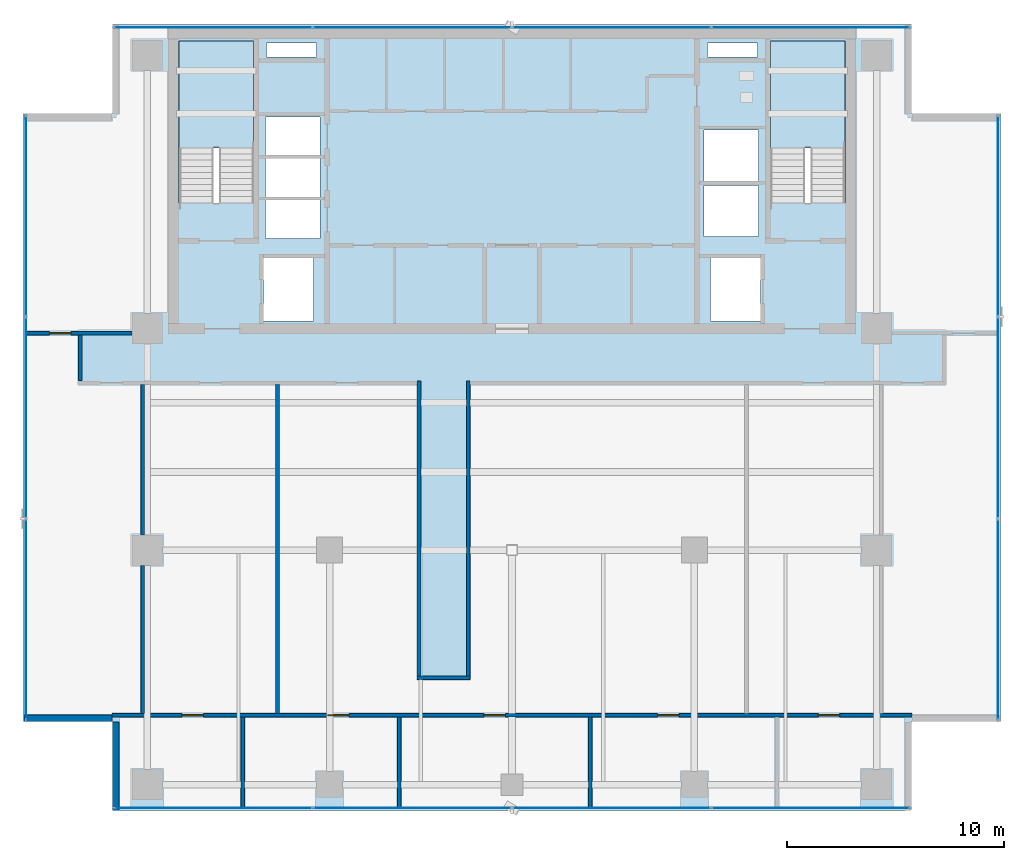
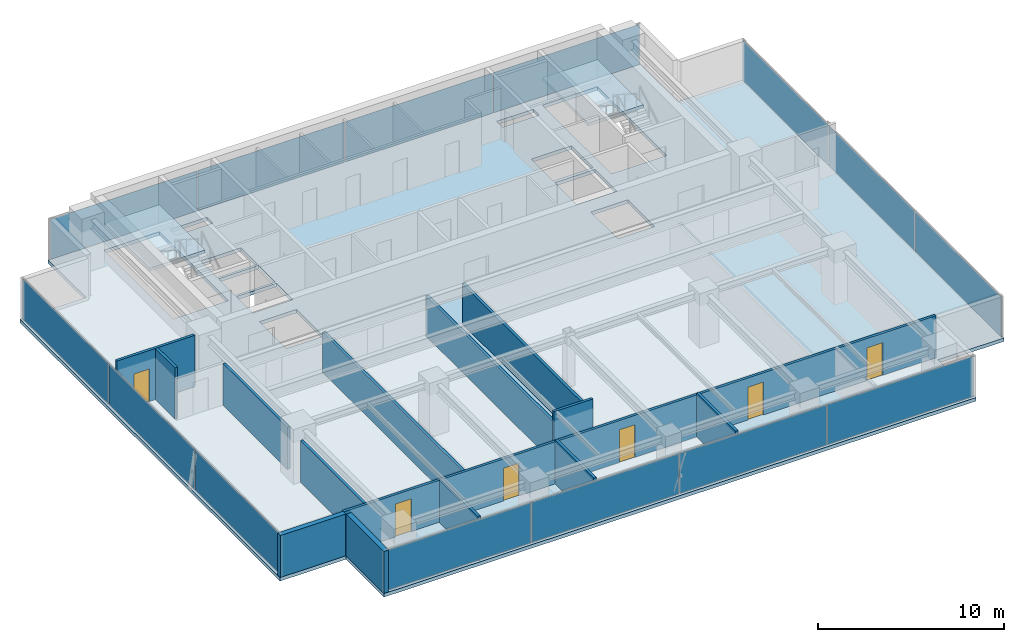
# One storey, part 19 of 26: 14 plates, 14 walls, 6 doors, 3 slabs, 6 openings, 6 elements without a shape of their own.
"""IFC4 building model written with IfcOpenShell, lengths in metres."""

from ifc_helpers import new_model, si_unit, direction, frame, frame_2d, origin, origin_2d, place, context, subcontext, project, spatial, polyline, rectangle, outline, extrude, source, transform, mapped, material, layer, layer_set, type_object, element, fill, aggregate, save


model = new_model("IFC4")

# Units and contexts
model_context = context("Model", 3, precision=1e-05, world=origin(), true_north=direction((0.0, 1.0)))
body_context = subcontext(model_context, "Body", "Model", "MODEL_VIEW")
ifc_project = project(units=[si_unit("LENGTHUNIT", "METRE"), si_unit("AREAUNIT", "SQUARE_METRE"), si_unit("VOLUMEUNIT", "CUBIC_METRE"), si_unit("PLANEANGLEUNIT", "RADIAN"), si_unit("MASSUNIT", "GRAM", prefix="KILO")], contexts=[model_context])

# Site, building, storey
site_placement = place(None, origin())
site = spatial("IfcSite", under=ifc_project, at=site_placement, CompositionType="ELEMENT")
building_placement = place(site_placement, origin())
building = spatial("IfcBuilding", under=site, at=building_placement, Name="Sumidabori Civic Tower", CompositionType="ELEMENT")
storey_placement = place(building_placement, frame((0.0, 0.0, 261.199951171875)))
storey = spatial("IfcBuildingStorey", under=building, at=storey_placement, Name="L68", CompositionType="ELEMENT", Elevation=261.199951171875)

# Stair, slab
ifc_material_1 = material(Name="Concrete C40/50", Category="concrete")
stair_type = type_object("IfcStairType", Name="ST-CORE-1600", PredefinedType="HALF_TURN_STAIR", material=ifc_material_1)
stair_1_placement = place(storey_placement, origin())
stair_1 = element("IfcStair", 1, at=stair_1_placement, inside=storey, type_object=stair_type, Name="L68 ST-1", PredefinedType="HALF_TURN_STAIR")
ifc_layer_1 = layer(ifc_material_1, 0.199951171875, Name="Concrete C40/50")
ifc_layer_set_1 = layer_set([ifc_layer_1], Name="Concrete C40/50")
slab_type_1 = type_object("IfcSlabType", Name="SL-LAND-200", PredefinedType="LANDING", material=ifc_layer_set_1)
slab_1_placement = place(storey_placement, frame((0.0, 0.0, 1.60009765625)))
slab_1 = element("IfcSlab", 2, at=slab_1_placement, type_object=slab_type_1, Name="ST-1 landing 1", PredefinedType="LANDING", context=body_context, shape_type="SweptSolid", body=[
    extrude(outline(polyline([(-11.89990234375, 18.52001953125), (-11.89990234375, 23.449951171875), (-15.340087890625, 23.449951171875), (-15.340087890625, 18.52001953125), (-11.89990234375, 18.52001953125)])), origin(), (0.0, 0.0, 1.0), 0.199951171875),
])
aggregate(stair_1, [slab_1])

stair_2_placement = place(storey_placement, origin())
stair_2 = element("IfcStair", 3, at=stair_2_placement, inside=storey, type_object=stair_type, Name="L68 ST-2", PredefinedType="HALF_TURN_STAIR")
slab_2_placement = place(storey_placement, frame((0.0, 0.0, 1.60009765625)))
slab_2 = element("IfcSlab", 4, at=slab_2_placement, type_object=slab_type_1, Name="ST-2 landing 1", PredefinedType="LANDING", context=body_context, shape_type="SweptSolid", body=[
    extrude(outline(polyline([(15.340087890625, 18.52001953125), (15.340087890625, 23.449951171875), (11.89990234375, 23.449951171875), (11.89990234375, 18.52001953125), (15.340087890625, 18.52001953125)])), origin(), (0.0, 0.0, 1.0), 0.199951171875),
])
aggregate(stair_2, [slab_2])

# Slab
ifc_layer_2 = layer(ifc_material_1, 0.22998046875, Name="Concrete C40/50")
ifc_layer_set_2 = layer_set([ifc_layer_2], Name="Concrete C40/50")
slab_type_2 = type_object("IfcSlabType", Name="SL-Z4-230", PredefinedType="FLOOR", material=ifc_layer_set_2)
slab_3_placement = place(storey_placement, frame((0.0, 0.0, -0.22998046875)))
element("IfcSlab", 5, at=slab_3_placement, inside=storey, type_object=slab_type_2, Name="Structural Slab L68", PredefinedType="FLOOR", context=body_context, shape_type="SweptSolid", body=[
    extrude(outline(polyline([(-18.39990234375, -12.0), (18.39990234375, -12.0), (18.39990234375, -7.89990234375), (22.5, -7.89990234375), (22.5, 20.10009765625), (18.39990234375, 20.10009765625), (18.39990234375, 24.199951171875), (-18.39990234375, 24.199951171875), (-18.39990234375, 20.10009765625), (-22.5, 20.10009765625), (-22.5, -7.89990234375), (-18.39990234375, -7.89990234375), (-18.39990234375, -12.0)]), holes=[polyline([(-11.89990234375, 16.0), (-11.89990234375, 23.449951171875), (-15.340087890625, 23.449951171875), (-15.340087890625, 16.0), (-11.89990234375, 16.0)]), polyline([(15.340087890625, 16.0), (15.340087890625, 23.449951171875), (11.89990234375, 23.449951171875), (11.89990234375, 16.0), (15.340087890625, 16.0)]), polyline([(-11.449951171875, 10.550048828125), (-9.14990234375, 10.550048828125), (-9.14990234375, 13.449951171875), (-11.449951171875, 13.449951171875), (-11.449951171875, 10.550048828125)]), polyline([(9.14990234375, 10.550048828125), (11.449951171875, 10.550048828125), (11.449951171875, 13.449951171875), (9.14990234375, 13.449951171875), (9.14990234375, 10.550048828125)]), polyline([(-11.35009765625, 14.35009765625), (-8.85009765625, 14.35009765625), (-8.85009765625, 16.1201171875), (-11.35009765625, 16.1201171875), (-11.35009765625, 14.35009765625)]), polyline([(-11.35009765625, 16.27001953125), (-8.85009765625, 16.27001953125), (-8.85009765625, 18.0400390625), (-11.35009765625, 18.0400390625), (-11.35009765625, 16.27001953125)]), polyline([(-11.35009765625, 18.18994140625), (-8.85009765625, 18.18994140625), (-8.85009765625, 19.9599609375), (-11.35009765625, 19.9599609375), (-11.35009765625, 18.18994140625)]), polyline([(8.85009765625, 14.449951171875), (11.35009765625, 14.449951171875), (11.35009765625, 16.800048828125), (8.85009765625, 16.800048828125), (8.85009765625, 14.449951171875)]), polyline([(8.85009765625, 17.0), (11.35009765625, 17.0), (11.35009765625, 19.35009765625), (8.85009765625, 19.35009765625), (8.85009765625, 17.0)]), polyline([(-11.300048828125, 22.719970703125), (-9.0, 22.719970703125), (-9.0, 23.35009765625), (-11.300048828125, 23.35009765625), (-11.300048828125, 22.719970703125)]), polyline([(9.0, 22.719970703125), (11.300048828125, 22.719970703125), (11.300048828125, 23.35009765625), (9.0, 23.35009765625), (9.0, 22.719970703125)])]), origin(), (0.0, 0.0, 1.0), 0.22998046875),
])

# Curtain wall, plates
ifc_material_2 = material(Name="Anodised Bronze Aluminium AW-6063-T6", Category="aluminium")
ifc_layer_3 = layer(ifc_material_2, 0.179931640625, Name="Anodised Bronze Aluminium AW-6063-T6")
ifc_layer_set_3 = layer_set([ifc_layer_3], Name="Anodised Bronze Aluminium AW-6063-T6")
curtain_wall_type = type_object("IfcCurtainWallType", Name="CW-SYS-5", PredefinedType="NOTDEFINED", material=ifc_layer_set_3)
curtain_wall_1_placement = place(storey_placement, origin())
curtain_wall_1 = element("IfcCurtainWall", 6, at=curtain_wall_1_placement, inside=storey, type_object=curtain_wall_type, Name="Curtain Wall CW:L68:R04", PredefinedType="NOTDEFINED")
ifc_material_3 = material(Name="Low-E Solar-Control Vision Glazing", Category="glass")
ifc_layer_4 = layer(ifc_material_3, 0.028076171875, Name="Low-E Solar-Control Vision Glazing")
ifc_layer_set_4 = layer_set([ifc_layer_4], Name="Low-E Solar-Control Vision Glazing")
plate_type = type_object("IfcPlateType", Name="CW-PNL-28", PredefinedType="CURTAIN_PANEL", material=ifc_layer_set_4)
shared_shape_1 = source(origin(), body_context, "Body", "SweptSolid", [
    extrude(rectangle(XDim=9.223388671875, YDim=0.028076171875, at=origin_2d()), origin(), (0.0, 0.0, 1.0), 2.6298828125),
])
plate_1_placement = place(storey_placement, frame((22.3798828125, -3.1982421875, 0.06005859375), z_axis=(0.0, 0.0, 1.0), x_axis=(0.0, 1.0, 0.0)))
plate_1 = element("IfcPlate", 7, at=plate_1_placement, type_object=plate_type, Name="CW-5 panel 1.1", PredefinedType="CURTAIN_PANEL", context=body_context, shape_type="MappedRepresentation", body=[
    mapped(shared_shape_1, transform((0.0, 0.0, 0.0), x_axis=(1.0, 0.0, 0.0), y_axis=(0.0, 1.0, 0.0), z_axis=(0.0, 0.0, 1.0), scale=1.0)),
])
plate_2_placement = place(storey_placement, frame((22.3798828125, 15.3984375, 0.06005859375), z_axis=(0.0, 0.0, 1.0), x_axis=(0.0, 1.0, 0.0)))
plate_2 = element("IfcPlate", 8, at=plate_2_placement, type_object=plate_type, Name="CW-5 panel 3.1", PredefinedType="CURTAIN_PANEL", context=body_context, shape_type="MappedRepresentation", body=[
    mapped(shared_shape_1, transform((0.0, 0.0, 0.0), x_axis=(1.0, 0.0, 0.0), y_axis=(0.0, 1.0, 0.0), z_axis=(0.0, 0.0, 1.0), scale=1.0)),
])

curtain_wall_2_placement = place(storey_placement, origin())
curtain_wall_2 = element("IfcCurtainWall", 9, at=curtain_wall_2_placement, inside=storey, type_object=curtain_wall_type, Name="Curtain Wall CW:L68:R10", PredefinedType="NOTDEFINED")
plate_3_placement = place(storey_placement, frame((-22.3798828125, 15.3984375, 0.06005859375), z_axis=(0.0, 0.0, 1.0), x_axis=(0.0, -1.0, 0.0)))
plate_3 = element("IfcPlate", 10, at=plate_3_placement, type_object=plate_type, Name="CW-5 panel 1.1", PredefinedType="CURTAIN_PANEL", context=body_context, shape_type="MappedRepresentation", body=[
    mapped(shared_shape_1, transform((0.0, 0.0, 0.0), x_axis=(1.0, 0.0, 0.0), y_axis=(0.0, 1.0, 0.0), z_axis=(0.0, 0.0, 1.0), scale=1.0)),
])
plate_4_placement = place(storey_placement, frame((-22.3798828125, -3.1982421875, 0.06005859375), z_axis=(0.0, 0.0, 1.0), x_axis=(0.0, -1.0, 0.0)))
plate_4 = element("IfcPlate", 11, at=plate_4_placement, type_object=plate_type, Name="CW-5 panel 3.1", PredefinedType="CURTAIN_PANEL", context=body_context, shape_type="MappedRepresentation", body=[
    mapped(shared_shape_1, transform((0.0, 0.0, 0.0), x_axis=(1.0, 0.0, 0.0), y_axis=(0.0, 1.0, 0.0), z_axis=(0.0, 0.0, 1.0), scale=1.0)),
])

# Plate
shared_shape_2 = source(origin(), body_context, "Body", "SweptSolid", [
    extrude(rectangle(XDim=9.25341796875, YDim=0.028076171875, at=origin_2d()), origin(), (0.0, 0.0, 1.0), 2.6298828125),
])
plate_5_placement = place(storey_placement, frame((22.3798828125, 6.10009765625, 0.06005859375), z_axis=(0.0, 0.0, 1.0), x_axis=(0.0, 1.0, 0.0)))
plate_5 = element("IfcPlate", 12, at=plate_5_placement, type_object=plate_type, Name="CW-5 panel 2.1", PredefinedType="CURTAIN_PANEL", context=body_context, shape_type="MappedRepresentation", body=[
    mapped(shared_shape_2, transform((0.0, 0.0, 0.0), x_axis=(1.0, 0.0, 0.0), y_axis=(0.0, 1.0, 0.0), z_axis=(0.0, 0.0, 1.0), scale=1.0)),
])

aggregate(curtain_wall_1, [plate_1, plate_5, plate_2])

plate_6_placement = place(storey_placement, frame((-22.3798828125, 6.10009765625, 0.06005859375), z_axis=(0.0, 0.0, 1.0), x_axis=(0.0, -1.0, 0.0)))
plate_6 = element("IfcPlate", 13, at=plate_6_placement, type_object=plate_type, Name="CW-5 panel 2.1", PredefinedType="CURTAIN_PANEL", context=body_context, shape_type="MappedRepresentation", body=[
    mapped(shared_shape_2, transform((0.0, 0.0, 0.0), x_axis=(1.0, 0.0, 0.0), y_axis=(0.0, 1.0, 0.0), z_axis=(0.0, 0.0, 1.0), scale=1.0)),
])

aggregate(curtain_wall_2, [plate_3, plate_6, plate_4])

# Curtain wall, plates
curtain_wall_3_placement = place(storey_placement, origin())
curtain_wall_3 = element("IfcCurtainWall", 14, at=curtain_wall_3_placement, inside=storey, type_object=curtain_wall_type, Name="Curtain Wall CW:L68:R01", PredefinedType="NOTDEFINED")
shared_shape_3 = source(origin(), body_context, "Body", "SweptSolid", [
    extrude(rectangle(XDim=9.094970703125, YDim=0.028076171875, at=origin_2d()), origin(), (0.0, 0.0, 1.0), 2.6298828125),
])
plate_7_placement = place(storey_placement, frame((-13.762451171875, -11.8798828125, 0.06005859375), z_axis=(0.0, 0.0, 1.0), x_axis=(1.0, 0.0, 0.0)))
plate_7 = element("IfcPlate", 15, at=plate_7_placement, type_object=plate_type, Name="CW-5 panel 1.1", PredefinedType="CURTAIN_PANEL", context=body_context, shape_type="MappedRepresentation", body=[
    mapped(shared_shape_3, transform((0.0, 0.0, 0.0), x_axis=(1.0, 0.0, 0.0), y_axis=(0.0, 1.0, 0.0), z_axis=(0.0, 0.0, 1.0), scale=1.0)),
])
plate_8_placement = place(storey_placement, frame((13.762451171875, -11.8798828125, 0.06005859375), z_axis=(0.0, 0.0, 1.0), x_axis=(1.0, 0.0, 0.0)))
plate_8 = element("IfcPlate", 16, at=plate_8_placement, type_object=plate_type, Name="CW-5 panel 4.1", PredefinedType="CURTAIN_PANEL", context=body_context, shape_type="MappedRepresentation", body=[
    mapped(shared_shape_3, transform((0.0, 0.0, 0.0), x_axis=(1.0, 0.0, 0.0), y_axis=(0.0, 1.0, 0.0), z_axis=(0.0, 0.0, 1.0), scale=1.0)),
])

curtain_wall_4_placement = place(storey_placement, origin())
curtain_wall_4 = element("IfcCurtainWall", 17, at=curtain_wall_4_placement, inside=storey, type_object=curtain_wall_type, Name="Curtain Wall CW:L68:R07", PredefinedType="NOTDEFINED")
plate_9_placement = place(storey_placement, frame((13.762451171875, 24.080078125, 0.06005859375), z_axis=(0.0, 0.0, 1.0), x_axis=(-1.0, 0.0, 0.0)))
plate_9 = element("IfcPlate", 18, at=plate_9_placement, type_object=plate_type, Name="CW-5 panel 1.1", PredefinedType="CURTAIN_PANEL", context=body_context, shape_type="MappedRepresentation", body=[
    mapped(shared_shape_3, transform((0.0, 0.0, 0.0), x_axis=(1.0, 0.0, 0.0), y_axis=(0.0, 1.0, 0.0), z_axis=(0.0, 0.0, 1.0), scale=1.0)),
])
plate_10_placement = place(storey_placement, frame((-13.762451171875, 24.080078125, 0.06005859375), z_axis=(0.0, 0.0, 1.0), x_axis=(-1.0, 0.0, 0.0)))
plate_10 = element("IfcPlate", 19, at=plate_10_placement, type_object=plate_type, Name="CW-5 panel 4.1", PredefinedType="CURTAIN_PANEL", context=body_context, shape_type="MappedRepresentation", body=[
    mapped(shared_shape_3, transform((0.0, 0.0, 0.0), x_axis=(1.0, 0.0, 0.0), y_axis=(0.0, 1.0, 0.0), z_axis=(0.0, 0.0, 1.0), scale=1.0)),
])

# Plate
shared_shape_4 = source(origin(), body_context, "Body", "SweptSolid", [
    extrude(rectangle(XDim=9.125, YDim=0.028076171875, at=origin_2d()), origin(), (0.0, 0.0, 1.0), 2.6298828125),
])
plate_11_placement = place(storey_placement, frame((-4.592529296875, -11.8798828125, 0.06005859375), z_axis=(0.0, 0.0, 1.0), x_axis=(1.0, 0.0, 0.0)))
plate_11 = element("IfcPlate", 20, at=plate_11_placement, type_object=plate_type, Name="CW-5 panel 2.1", PredefinedType="CURTAIN_PANEL", context=body_context, shape_type="MappedRepresentation", body=[
    mapped(shared_shape_4, transform((0.0, 0.0, 0.0), x_axis=(1.0, 0.0, 0.0), y_axis=(0.0, 1.0, 0.0), z_axis=(0.0, 0.0, 1.0), scale=1.0)),
])

plate_12_placement = place(storey_placement, frame((4.592529296875, -11.8798828125, 0.06005859375), z_axis=(0.0, 0.0, 1.0), x_axis=(1.0, 0.0, 0.0)))
plate_12 = element("IfcPlate", 21, at=plate_12_placement, type_object=plate_type, Name="CW-5 panel 3.1", PredefinedType="CURTAIN_PANEL", context=body_context, shape_type="MappedRepresentation", body=[
    mapped(shared_shape_4, transform((0.0, 0.0, 0.0), x_axis=(1.0, 0.0, 0.0), y_axis=(0.0, 1.0, 0.0), z_axis=(0.0, 0.0, 1.0), scale=1.0)),
])

aggregate(curtain_wall_3, [plate_7, plate_11, plate_12, plate_8])

plate_13_placement = place(storey_placement, frame((4.592529296875, 24.080078125, 0.06005859375), z_axis=(0.0, 0.0, 1.0), x_axis=(-1.0, 0.0, 0.0)))
plate_13 = element("IfcPlate", 22, at=plate_13_placement, type_object=plate_type, Name="CW-5 panel 2.1", PredefinedType="CURTAIN_PANEL", context=body_context, shape_type="MappedRepresentation", body=[
    mapped(shared_shape_4, transform((0.0, 0.0, 0.0), x_axis=(1.0, 0.0, 0.0), y_axis=(0.0, 1.0, 0.0), z_axis=(0.0, 0.0, 1.0), scale=1.0)),
])

plate_14_placement = place(storey_placement, frame((-4.592529296875, 24.080078125, 0.06005859375), z_axis=(0.0, 0.0, 1.0), x_axis=(-1.0, 0.0, 0.0)))
plate_14 = element("IfcPlate", 23, at=plate_14_placement, type_object=plate_type, Name="CW-5 panel 3.1", PredefinedType="CURTAIN_PANEL", context=body_context, shape_type="MappedRepresentation", body=[
    mapped(shared_shape_4, transform((0.0, 0.0, 0.0), x_axis=(1.0, 0.0, 0.0), y_axis=(0.0, 1.0, 0.0), z_axis=(0.0, 0.0, 1.0), scale=1.0)),
])

aggregate(curtain_wall_4, [plate_9, plate_13, plate_14, plate_10])

# Walls
ifc_material_4 = material(Name="Precast concrete C40/50", Category="concrete")
ifc_layer_5 = layer(ifc_material_4, 0.300048828125, Name="Precast concrete C40/50")
ifc_layer_set_5 = layer_set([ifc_layer_5], Name="Precast concrete C40/50")
wall_type_1 = type_object("IfcWallType", Name="WL-EXT-POD300", PredefinedType="STANDARD", material=ifc_layer_set_5)
shared_shape_5 = source(origin(), body_context, "Body", "SweptSolid", [
    extrude(rectangle(XDim=4.06005859375, YDim=0.300048828125, at=frame_2d((2.030029296875, 0.0))), origin(), (0.0, 0.0, 1.0), 2.75),
])
for number, where, z_axis, x_axis, name in (
    (24, (-22.47998046875, -7.75, 0.0), (0.0, 0.0, 1.0), (1.0, 0.0, 0.0), "Notched Corner Spandrel Band L68-11"),
    (25, (-18.25, -7.919921875, 0.0), (0.0, 0.0, 1.0), (0.0, -1.0, 0.0), "Notched Corner Spandrel Band L68-12"),
):
    element("IfcWall", number, at=place(storey_placement, frame(where, z_axis=z_axis, x_axis=x_axis)), inside=storey, type_object=wall_type_1, Name=name, PredefinedType="STANDARD", context=body_context, shape_type="MappedRepresentation", body=[
        mapped(shared_shape_5, transform((0.0, 0.0, 0.0), x_axis=(1.0, 0.0, 0.0), y_axis=(0.0, 1.0, 0.0), z_axis=(0.0, 0.0, 1.0), scale=1.0)),
    ])

# Wall, opening, door
ifc_material_5 = material(Name="Gypsum Plasterboard Acoustic Partition")
ifc_layer_6 = layer(ifc_material_5, 0.1650390625, Name="Gypsum Plasterboard Acoustic Partition")
ifc_layer_set_6 = layer_set([ifc_layer_6], Name="Gypsum Plasterboard Acoustic Partition")
wall_type_2 = type_object("IfcWallType", Name="WL-PART-165", PredefinedType="PARTITIONING", material=ifc_layer_set_6)
shared_shape_6 = source(origin(), body_context, "Body", "SweptSolid", [
    extrude(rectangle(XDim=4.840087890625, YDim=0.1650390625, at=frame_2d((2.419921875, 0.0))), origin(), (0.0, 0.0, 1.0), 3.3701171875),
])
wall_1_placement = place(storey_placement, frame((-22.35009765625, 10.0, 0.0), z_axis=(0.0, 0.0, 1.0), x_axis=(1.0, 0.0, 0.0)))
wall_1 = element("IfcWall", 26, at=wall_1_placement, inside=storey, type_object=wall_type_2, Name="Interior Partition WL:L68:FLK-NW", PredefinedType="PARTITIONING", context=body_context, shape_type="MappedRepresentation", body=[
    mapped(shared_shape_6, transform((0.0, 0.0, 0.0), x_axis=(1.0, 0.0, 0.0), y_axis=(0.0, 1.0, 0.0), z_axis=(0.0, 0.0, 1.0), scale=1.0)),
])
opening_1_placement = place(wall_1_placement, frame((1.050048828125, 0.0, 0.0)))
opening_1 = element("IfcOpeningElement", 27, at=opening_1_placement, cuts=wall_1, Name="Opening DR-3", PredefinedType="OPENING", context=body_context, shape_type="SweptSolid", body=[
    extrude(rectangle(XDim=0.97998046875, YDim=2.14990234375, at=frame_2d((0.489990234375, 1.074951171875))), frame((0.0, 0.094482421875, 0.0), z_axis=(0.0, -1.0, 0.0), x_axis=(1.0, 0.0, 0.0)), (0.0, 0.0, 1.0), 0.18896484375),
])
ifc_material_6 = material(Name="Japanese Hinoki Timber", Category="wood")
door_type = type_object("IfcDoorType", Name="DR-INT-980", OperationType="NOTDEFINED", PredefinedType="DOOR", material=ifc_material_6)
shared_shape_7 = source(origin(), body_context, "Body", "SweptSolid", [
    extrude(rectangle(XDim=0.97998046875, YDim=2.14990234375, at=frame_2d((0.489990234375, 1.074951171875))), frame((0.0, 0.02490234375, 0.0), z_axis=(0.0, -1.0, 0.0), x_axis=(1.0, 0.0, 0.0)), (0.0, 0.0, 1.0), 0.050048828125),
])
door_1_placement = place(opening_1_placement, origin())
door_1 = element("IfcDoor", 28, at=door_1_placement, inside=storey, type_object=door_type, Name="Door DR:L68:D06", OperationType="SINGLE_SWING_RIGHT", OverallHeight=2.14990234375, OverallWidth=0.97998046875, PredefinedType="DOOR", context=body_context, shape_type="MappedRepresentation", body=[
    mapped(shared_shape_7, transform((0.0, 0.0, 0.0), x_axis=(1.0, 0.0, 0.0), y_axis=(0.0, 1.0, 0.0), z_axis=(0.0, 0.0, 1.0), scale=1.0)),
])
fill(opening_1, door_1)

# Walls
shared_shape_8 = source(origin(), body_context, "Body", "SweptSolid", [
    extrude(rectangle(XDim=2.429931640625, YDim=0.1650390625, at=frame_2d((1.21484375, 0.0))), origin(), (0.0, 0.0, 1.0), 3.3701171875),
])
wall_2_placement = place(storey_placement, frame((-4.364990234375, -5.882568359375, 0.0), z_axis=(0.0, 0.0, 1.0), x_axis=(1.0, 0.0, 0.0)))
element("IfcWall", 29, at=wall_2_placement, inside=storey, type_object=wall_type_2, Name="Interior Partition WL:L68:CORR-CAP-C", PredefinedType="PARTITIONING", context=body_context, shape_type="MappedRepresentation", body=[
    mapped(shared_shape_8, transform((0.0, 0.0, 0.0), x_axis=(1.0, 0.0, 0.0), y_axis=(0.0, 1.0, 0.0), z_axis=(0.0, 0.0, 1.0), scale=1.0)),
])
shared_shape_9 = source(origin(), body_context, "Body", "SweptSolid", [
    extrude(rectangle(XDim=2.107666015625, YDim=0.1650390625, at=frame_2d((1.0537109375, 0.0))), origin(), (0.0, 0.0, 1.0), 3.3701171875),
])
wall_3_placement = place(storey_placement, frame((-19.882568359375, 7.804931640625, 0.0), z_axis=(0.0, 0.0, 1.0), x_axis=(0.0, 1.0, 0.0)))
element("IfcWall", 30, at=wall_3_placement, inside=storey, type_object=wall_type_2, Name="Interior Partition WL:L68:CORR-VNW", PredefinedType="PARTITIONING", context=body_context, shape_type="MappedRepresentation", body=[
    mapped(shared_shape_9, transform((0.0, 0.0, 0.0), x_axis=(1.0, 0.0, 0.0), y_axis=(0.0, 1.0, 0.0), z_axis=(0.0, 0.0, 1.0), scale=1.0)),
])
shared_shape_10 = source(origin(), body_context, "Body", "SweptSolid", [
    extrude(rectangle(XDim=13.594970703125, YDim=0.1650390625, at=frame_2d((6.79736328125, 0.0))), origin(), (0.0, 0.0, 1.0), 2.655029296875),
])
for number, where, z_axis, x_axis, name in (
    (31, (-4.282470703125, -5.794921875, 0.0), (0.0, 0.0, 1.0), (0.0, 1.0, 0.0), "Interior Partition WL:L68:CORR-VC-W"),
    (32, (-2.017578125, -5.794921875, 0.0), (0.0, 0.0, 1.0), (0.0, 1.0, 0.0), "Interior Partition WL:L68:CORR-VC-E"),
):
    element("IfcWall", number, at=place(storey_placement, frame(where, z_axis=z_axis, x_axis=x_axis)), inside=storey, type_object=wall_type_2, Name=name, PredefinedType="PARTITIONING", context=body_context, shape_type="MappedRepresentation", body=[
        mapped(shared_shape_10, transform((0.0, 0.0, 0.0), x_axis=(1.0, 0.0, 0.0), y_axis=(0.0, 1.0, 0.0), z_axis=(0.0, 0.0, 1.0), scale=1.0)),
    ])
shared_shape_11 = source(origin(), body_context, "Body", "SweptSolid", [
    extrude(rectangle(XDim=15.142333984375, YDim=0.1650390625, at=frame_2d((7.5712890625, 0.0))), origin(), (0.0, 0.0, 1.0), 2.655029296875),
])
wall_4_placement = place(storey_placement, frame((-10.800048828125, -7.512451171875, 0.0), z_axis=(0.0, 0.0, 1.0), x_axis=(0.0, 1.0, 0.0)))
element("IfcWall", 33, at=wall_4_placement, inside=storey, type_object=wall_type_2, Name="Interior Partition WL:L68:VX-N2", PredefinedType="PARTITIONING", context=body_context, shape_type="MappedRepresentation", body=[
    mapped(shared_shape_11, transform((0.0, 0.0, 0.0), x_axis=(1.0, 0.0, 0.0), y_axis=(0.0, 1.0, 0.0), z_axis=(0.0, 0.0, 1.0), scale=1.0)),
])
shared_shape_12 = source(origin(), body_context, "Body", "SweptSolid", [
    extrude(rectangle(XDim=4.16259765625, YDim=0.1650390625, at=frame_2d((2.081298828125, 0.0))), origin(), (0.0, 0.0, 1.0), 2.905029296875),
])
for number, where, z_axis, x_axis, name in (
    (34, (-12.39990234375, -11.85009765625, 0.0), (0.0, 0.0, 1.0), (0.0, 1.0, 0.0), "Interior Partition WL:L68:VX-S2"),
    (35, (-5.199951171875, -11.85009765625, 0.0), (0.0, 0.0, 1.0), (0.0, 1.0, 0.0), "Interior Partition WL:L68:VX-S3"),
    (36, (3.60009765625, -11.85009765625, 0.0), (0.0, 0.0, 1.0), (0.0, 1.0, 0.0), "Interior Partition WL:L68:VX-S4"),
):
    element("IfcWall", number, at=place(storey_placement, frame(where, z_axis=z_axis, x_axis=x_axis)), inside=storey, type_object=wall_type_2, Name=name, PredefinedType="PARTITIONING", context=body_context, shape_type="MappedRepresentation", body=[
        mapped(shared_shape_12, transform((0.0, 0.0, 0.0), x_axis=(1.0, 0.0, 0.0), y_axis=(0.0, 1.0, 0.0), z_axis=(0.0, 0.0, 1.0), scale=1.0)),
    ])

# Wall, openings, doors
shared_shape_13 = source(origin(), body_context, "Body", "SweptSolid", [
    extrude(rectangle(XDim=36.82421875, YDim=0.1650390625, at=frame_2d((18.412109375, 0.0))), origin(), (0.0, 0.0, 1.0), 2.755126953125),
])
wall_5_placement = place(storey_placement, frame((-18.412109375, -7.60009765625, 0.0), z_axis=(0.0, 0.0, 1.0), x_axis=(1.0, 0.0, 0.0)))
wall_5 = element("IfcWall", 37, at=wall_5_placement, inside=storey, type_object=wall_type_2, Name="Interior Partition WL:L68:BAND-Y", PredefinedType="PARTITIONING", context=body_context, shape_type="MappedRepresentation", body=[
    mapped(shared_shape_13, transform((0.0, 0.0, 0.0), x_axis=(1.0, 0.0, 0.0), y_axis=(0.0, 1.0, 0.0), z_axis=(0.0, 0.0, 1.0), scale=1.0)),
])
opening_2_placement = place(wall_5_placement, frame((3.221923828125, 0.0, 0.0)))
opening_2 = element("IfcOpeningElement", 38, at=opening_2_placement, cuts=wall_5, Name="Opening DR-3", PredefinedType="OPENING", context=body_context, shape_type="SweptSolid", body=[
    extrude(rectangle(XDim=0.97998046875, YDim=2.14990234375, at=frame_2d((0.489990234375, 1.074951171875))), frame((0.0, 0.094482421875, 0.0), z_axis=(0.0, -1.0, 0.0), x_axis=(1.0, 0.0, 0.0)), (0.0, 0.0, 1.0), 0.18896484375),
])
opening_3_placement = place(wall_5_placement, frame((32.52197265625, 0.0, 0.0)))
opening_3 = element("IfcOpeningElement", 39, at=opening_3_placement, cuts=wall_5, Name="Opening DR-3", PredefinedType="OPENING", context=body_context, shape_type="SweptSolid", body=[
    extrude(rectangle(XDim=0.97998046875, YDim=2.14990234375, at=frame_2d((0.489990234375, 1.074951171875))), frame((0.0, 0.094482421875, 0.0), z_axis=(0.0, -1.0, 0.0), x_axis=(1.0, 0.0, 0.0)), (0.0, 0.0, 1.0), 0.18896484375),
])
opening_4_placement = place(wall_5_placement, frame((9.922119140625, 0.0, 0.0)))
opening_4 = element("IfcOpeningElement", 40, at=opening_4_placement, cuts=wall_5, Name="Opening DR-3", PredefinedType="OPENING", context=body_context, shape_type="SweptSolid", body=[
    extrude(rectangle(XDim=0.97998046875, YDim=2.14990234375, at=frame_2d((0.489990234375, 1.074951171875))), frame((0.0, 0.094482421875, 0.0), z_axis=(0.0, -1.0, 0.0), x_axis=(1.0, 0.0, 0.0)), (0.0, 0.0, 1.0), 0.18896484375),
])
opening_5_placement = place(wall_5_placement, frame((17.1220703125, 0.0, 0.0)))
opening_5 = element("IfcOpeningElement", 41, at=opening_5_placement, cuts=wall_5, Name="Opening DR-3", PredefinedType="OPENING", context=body_context, shape_type="SweptSolid", body=[
    extrude(rectangle(XDim=0.97998046875, YDim=2.14990234375, at=frame_2d((0.489990234375, 1.074951171875))), frame((0.0, 0.094482421875, 0.0), z_axis=(0.0, -1.0, 0.0), x_axis=(1.0, 0.0, 0.0)), (0.0, 0.0, 1.0), 0.18896484375),
])
opening_6_placement = place(wall_5_placement, frame((25.1220703125, 0.0, 0.0)))
opening_6 = element("IfcOpeningElement", 42, at=opening_6_placement, cuts=wall_5, Name="Opening DR-3", PredefinedType="OPENING", context=body_context, shape_type="SweptSolid", body=[
    extrude(rectangle(XDim=0.97998046875, YDim=2.14990234375, at=frame_2d((0.489990234375, 1.074951171875))), frame((0.0, 0.094482421875, 0.0), z_axis=(0.0, -1.0, 0.0), x_axis=(1.0, 0.0, 0.0)), (0.0, 0.0, 1.0), 0.18896484375),
])
door_2_placement = place(opening_2_placement, origin())
door_2 = element("IfcDoor", 43, at=door_2_placement, inside=storey, type_object=door_type, Name="Door DR:L68:D08", OperationType="SINGLE_SWING_RIGHT", OverallHeight=2.14990234375, OverallWidth=0.97998046875, PredefinedType="DOOR", context=body_context, shape_type="MappedRepresentation", body=[
    mapped(shared_shape_7, transform((0.0, 0.0, 0.0), x_axis=(1.0, 0.0, 0.0), y_axis=(0.0, 1.0, 0.0), z_axis=(0.0, 0.0, 1.0), scale=1.0)),
])
fill(opening_2, door_2)
door_3_placement = place(opening_3_placement, origin())
door_3 = element("IfcDoor", 44, at=door_3_placement, inside=storey, type_object=door_type, Name="Door DR:L68:D09", OperationType="SINGLE_SWING_LEFT", OverallHeight=2.14990234375, OverallWidth=0.97998046875, PredefinedType="DOOR", context=body_context, shape_type="MappedRepresentation", body=[
    mapped(shared_shape_7, transform((0.0, 0.0, 0.0), x_axis=(1.0, 0.0, 0.0), y_axis=(0.0, 1.0, 0.0), z_axis=(0.0, 0.0, 1.0), scale=1.0)),
])
fill(opening_3, door_3)
door_4_placement = place(opening_4_placement, origin())
door_4 = element("IfcDoor", 45, at=door_4_placement, inside=storey, type_object=door_type, Name="Door DR:L68:D10", OperationType="SINGLE_SWING_RIGHT", OverallHeight=2.14990234375, OverallWidth=0.97998046875, PredefinedType="DOOR", context=body_context, shape_type="MappedRepresentation", body=[
    mapped(shared_shape_7, transform((0.0, 0.0, 0.0), x_axis=(1.0, 0.0, 0.0), y_axis=(0.0, 1.0, 0.0), z_axis=(0.0, 0.0, 1.0), scale=1.0)),
])
fill(opening_4, door_4)
door_5_placement = place(opening_5_placement, origin())
door_5 = element("IfcDoor", 46, at=door_5_placement, inside=storey, type_object=door_type, Name="Door DR:L68:D11", OperationType="SINGLE_SWING_LEFT", OverallHeight=2.14990234375, OverallWidth=0.97998046875, PredefinedType="DOOR", context=body_context, shape_type="MappedRepresentation", body=[
    mapped(shared_shape_7, transform((0.0, 0.0, 0.0), x_axis=(1.0, 0.0, 0.0), y_axis=(0.0, 1.0, 0.0), z_axis=(0.0, 0.0, 1.0), scale=1.0)),
])
fill(opening_5, door_5)
door_6_placement = place(opening_6_placement, origin())
door_6 = element("IfcDoor", 47, at=door_6_placement, inside=storey, type_object=door_type, Name="Door DR:L68:D12", OperationType="SINGLE_SWING_RIGHT", OverallHeight=2.14990234375, OverallWidth=0.97998046875, PredefinedType="DOOR", context=body_context, shape_type="MappedRepresentation", body=[
    mapped(shared_shape_7, transform((0.0, 0.0, 0.0), x_axis=(1.0, 0.0, 0.0), y_axis=(0.0, 1.0, 0.0), z_axis=(0.0, 0.0, 1.0), scale=1.0)),
])
fill(opening_6, door_6)

# Walls
shared_shape_14 = source(origin(), body_context, "Body", "SweptSolid", [
    extrude(rectangle(XDim=6.802490234375, YDim=0.1650390625, at=frame_2d((3.4013671875, 0.0))), origin(), (0.0, 0.0, 1.0), 2.755126953125),
])
wall_6_placement = place(storey_placement, frame((-17.0, -7.512451171875, 0.0), z_axis=(0.0, 0.0, 1.0), x_axis=(0.0, 1.0, 0.0)))
element("IfcWall", 48, at=wall_6_placement, inside=storey, type_object=wall_type_2, Name="Interior Partition WL:L68:VX-N1-1", PredefinedType="PARTITIONING", context=body_context, shape_type="MappedRepresentation", body=[
    mapped(shared_shape_14, transform((0.0, 0.0, 0.0), x_axis=(1.0, 0.0, 0.0), y_axis=(0.0, 1.0, 0.0), z_axis=(0.0, 0.0, 1.0), scale=1.0)),
])
shared_shape_15 = source(origin(), body_context, "Body", "SweptSolid", [
    extrude(rectangle(XDim=6.919921875, YDim=0.1650390625, at=frame_2d((3.4599609375, 0.0))), origin(), (0.0, 0.0, 1.0), 2.755126953125),
])
wall_7_placement = place(storey_placement, frame((-17.0, 0.7099609375, 0.0), z_axis=(0.0, 0.0, 1.0), x_axis=(0.0, 1.0, 0.0)))
element("IfcWall", 49, at=wall_7_placement, inside=storey, type_object=wall_type_2, Name="Interior Partition WL:L68:VX-N1-2", PredefinedType="PARTITIONING", context=body_context, shape_type="MappedRepresentation", body=[
    mapped(shared_shape_15, transform((0.0, 0.0, 0.0), x_axis=(1.0, 0.0, 0.0), y_axis=(0.0, 1.0, 0.0), z_axis=(0.0, 0.0, 1.0), scale=1.0)),
])

save(model, "model.ifc")
